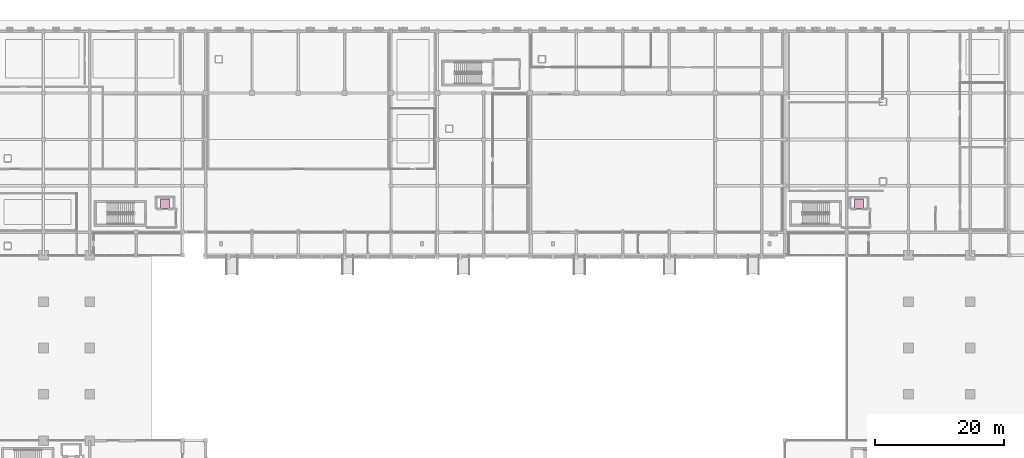
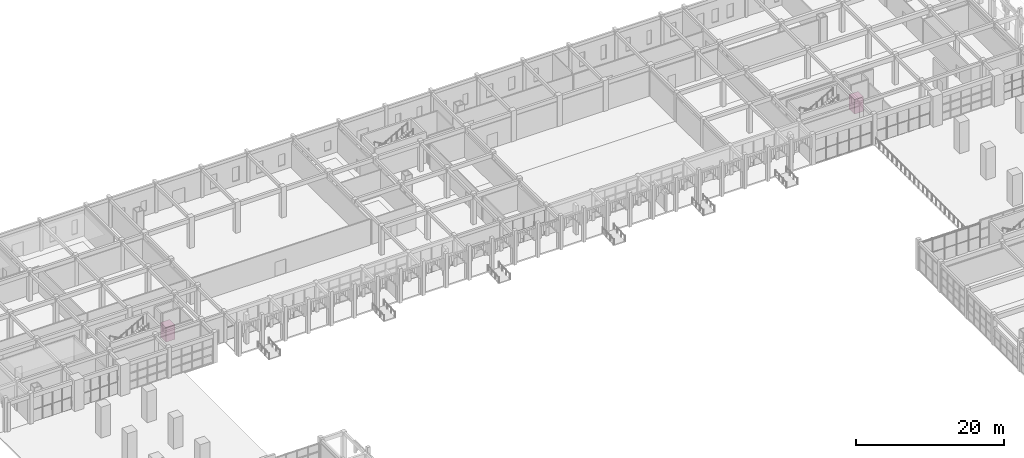
# One storey, part 72 of 72: 2 transport elements.
"""IFC4 building model written with IfcOpenShell, lengths in metres."""

from ifc_helpers import new_model, si_unit, direction, frame, origin, origin_2d, place, context, subcontext, project, spatial, rectangle, extrude, material, type_object, element, save


model = new_model("IFC4")

# Units and contexts
model_context = context("Model", 3, precision=1e-05, world=origin(), true_north=direction((0.0, 1.0)))
body_context = subcontext(model_context, "Body", "Model", "MODEL_VIEW")
ifc_project = project(units=[si_unit("LENGTHUNIT", "METRE"), si_unit("AREAUNIT", "SQUARE_METRE"), si_unit("VOLUMEUNIT", "CUBIC_METRE"), si_unit("PLANEANGLEUNIT", "RADIAN"), si_unit("MASSUNIT", "GRAM", prefix="KILO")], contexts=[model_context])

# Site, building, storey
site_placement = place(None, origin())
site = spatial("IfcSite", under=ifc_project, at=site_placement, CompositionType="ELEMENT")
building_placement = place(site_placement, origin())
building = spatial("IfcBuilding", under=site, at=building_placement, Name="Nzembalo Square Collegiate School", CompositionType="ELEMENT")
storey_placement = place(building_placement, origin())
storey = spatial("IfcBuildingStorey", under=building, at=storey_placement, Name="L00", CompositionType="ELEMENT", Elevation=0.0)

# Transport elements
ifc_material = material(Name="Stainless steel S355 cab", Category="steel")
transport_element_type = type_object("IfcTransportElementType", Name="EL02", PredefinedType="ELEVATOR", material=ifc_material)
for number, where, z_axis, x_axis, name in (
    (1, (34.5, 87.22509765625, 0.0), (0.0, 0.0, 1.0), (1.0, 0.0, 0.0), "Passenger lift LF2"),
    (2, (142.300048828125, 87.22509765625, 0.0), (0.0, 0.0, 1.0), (1.0, 0.0, 0.0), "Passenger lift LF3"),
):
    element("IfcTransportElement", number, at=place(storey_placement, frame(where, z_axis=z_axis, x_axis=x_axis)), inside=storey, type_object=transport_element_type, Name=name, PredefinedType="ELEVATOR", context=body_context, shape_type="SweptSolid", body=[
        extrude(rectangle(XDim=1.39990234375, YDim=1.449951171875, at=origin_2d()), origin(), (0.0, 0.0, 1.0), 2.39990234375),
    ])

save(model, "model.ifc")
